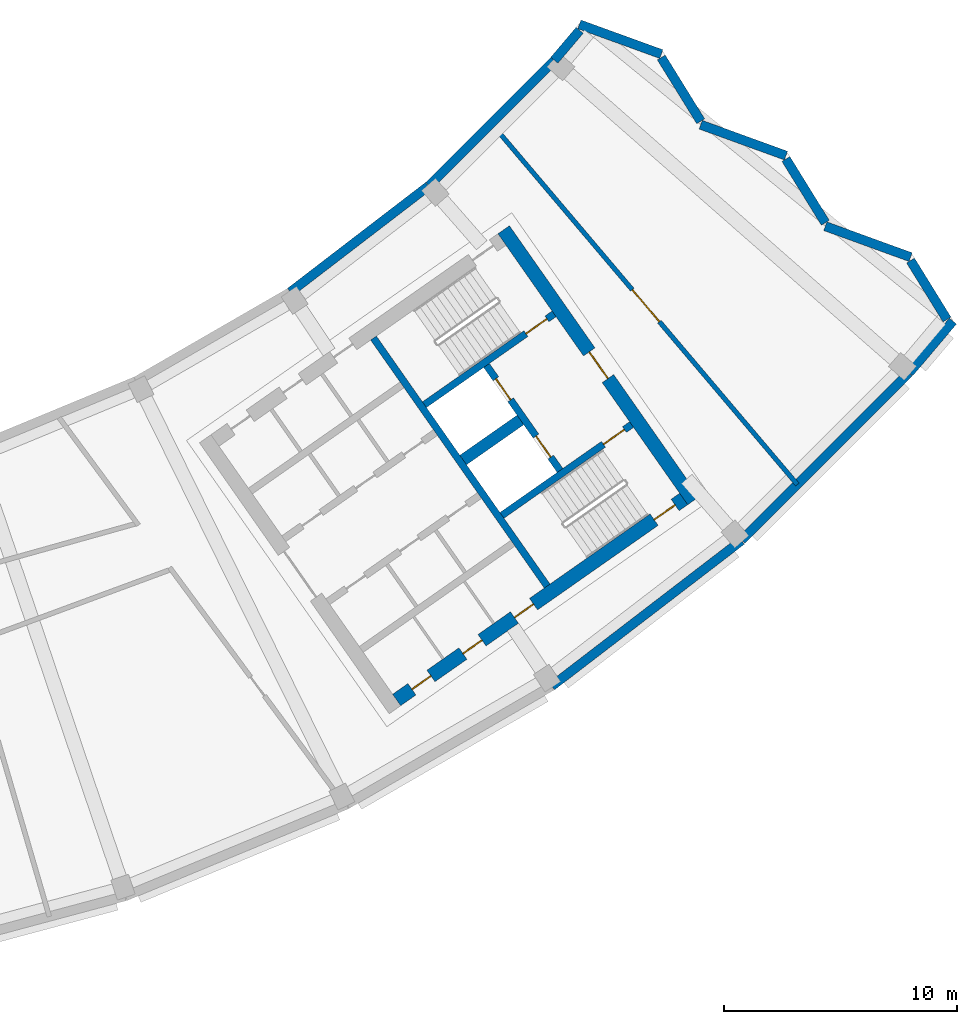
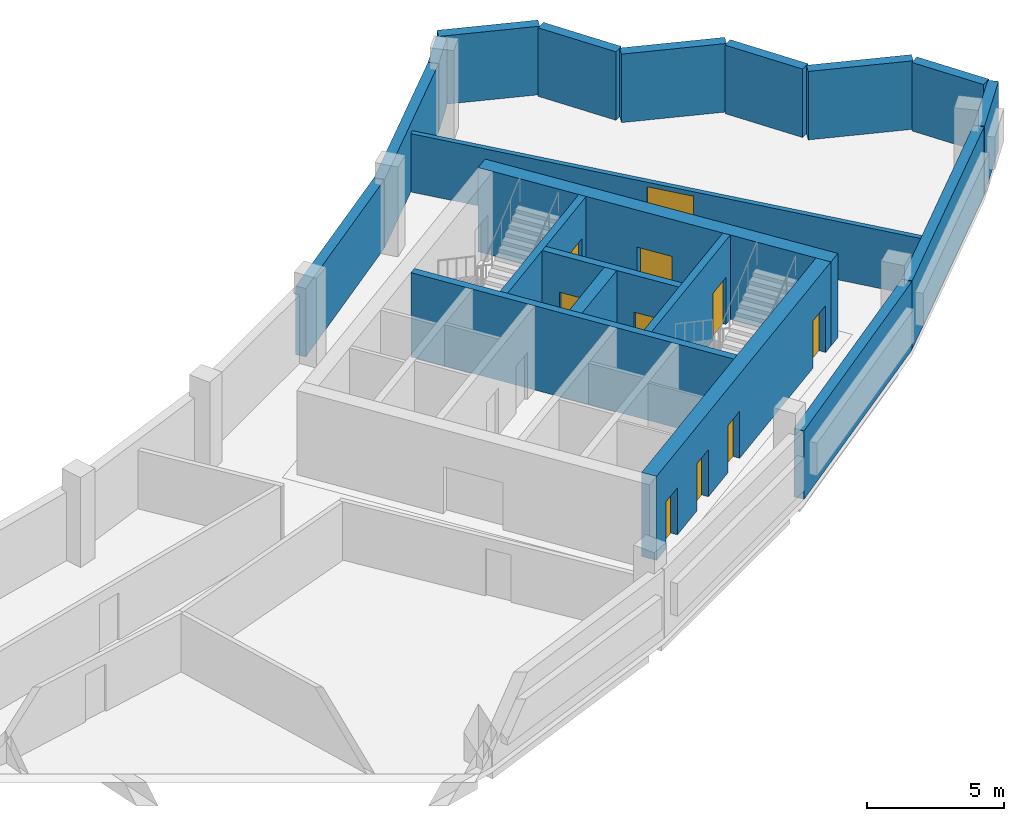
# One storey, part 6 of 11: 20 walls, 10 doors, 10 openings.
"""IFC4 building model written with IfcOpenShell, lengths in metres."""

import ifcopenshell
import ifcopenshell.guid

model = None  # the IFC model being written
_history = None  # IfcOwnerHistory: only IFC2X3 demands one
_inside = {}  # id of a spatial element -> (the spatial element, [elements in it])
_under = {}  # id of a project, library or spatial element -> (it, [spatial elements below it])
_declared = {}  # id of a project -> (the project, [libraries it declares])
_typed = {}  # id of a type object -> (the type object, [elements of that type])
_made_of = {}  # id of a material, layer set ... -> (it, [elements and type objects made of it])


def new_model(schema):
    """Start an empty IFC model of exactly this schema.

    Asked for "IFC4X3", IfcOpenShell would pick the latest addendum, in which some entities
    have other attributes; the version numbers below select the first issue.
    IFC2X3 requires an IfcOwnerHistory on every rooted entity: one is made here for all.
    """
    global model, _history
    if schema == "IFC4X3":
        model = ifcopenshell.file(schema_version=(4, 3, 0, 0))
    else:
        model = ifcopenshell.file(schema=schema)
    _inside.clear()
    _under.clear()
    _declared.clear()
    _typed.clear()
    _made_of.clear()
    _history = None
    if model.schema == "IFC2X3":
        org = make("IfcOrganization", Name="unknown")
        user = make(
            "IfcPersonAndOrganization",
            ThePerson=make("IfcPerson", FamilyName="unknown"),
            TheOrganization=org,
        )
        app = make(
            "IfcApplication",
            ApplicationDeveloper=org,
            Version="unknown",
            ApplicationFullName="unknown",
            ApplicationIdentifier="unknown",
        )
        _history = make(
            "IfcOwnerHistory",
            OwningUser=user,
            OwningApplication=app,
            ChangeAction="ADDED",
            CreationDate=0,
        )
    return model


def make(cls, **values):
    """One entity of the class cls with the attributes given. An attribute that is None is left unset."""
    return model.create_entity(
        cls, **{name: value for name, value in values.items() if value is not None}
    )


def rooted(cls, **values):
    """An entity with a GlobalId (a new one), such as an element, a storey or a relation."""
    return make(cls, GlobalId=ifcopenshell.guid.new(), OwnerHistory=_history, **values)


def si_unit(unit_type, name, prefix=None):
    """IfcSIUnit, for example si_unit("LENGTHUNIT", "METRE", prefix="MILLI")."""
    return make("IfcSIUnit", UnitType=unit_type, Prefix=prefix, Name=name)


def assignment(units):
    """IfcUnitAssignment: the units of a project."""
    return None if units is None else make("IfcUnitAssignment", Units=units)


def point(xyz):
    """IfcCartesianPoint."""
    return None if xyz is None else make("IfcCartesianPoint", Coordinates=xyz)


def direction(xyz):
    """IfcDirection."""
    return None if xyz is None else make("IfcDirection", DirectionRatios=xyz)


def frame(location, z_axis=None, x_axis=None):
    """IfcAxis2Placement3D, a coordinate frame: its origin and axes. An axis left out is left unset."""
    return make(
        "IfcAxis2Placement3D",
        Location=point(location),
        Axis=direction(z_axis),
        RefDirection=direction(x_axis),
    )


def frame_2d(location, x_axis=None):
    """IfcAxis2Placement2D, a coordinate frame in the plane: its origin and x axis."""
    return make(
        "IfcAxis2Placement2D", Location=point(location), RefDirection=direction(x_axis)
    )


def origin():
    """The frame at (0, 0, 0) with its axes left unset."""
    return frame((0.0, 0.0, 0.0))


def place(relative_to, where):
    """IfcLocalPlacement: puts the frame where relative to a parent placement (None: the world)."""
    return make(
        "IfcLocalPlacement", PlacementRelTo=relative_to, RelativePlacement=where
    )


def context(
    kind, dimensions, precision=None, world=None, true_north=None, identifier=None
):
    """IfcGeometricRepresentationContext, for example the 3D "Model" context."""
    return make(
        "IfcGeometricRepresentationContext",
        ContextIdentifier=identifier,
        ContextType=kind,
        CoordinateSpaceDimension=dimensions,
        Precision=precision,
        WorldCoordinateSystem=world,
        TrueNorth=true_north,
    )


def subcontext(parent, identifier, kind, view, scale=None):
    """IfcGeometricRepresentationSubContext, for example "Body" below "Model"."""
    return make(
        "IfcGeometricRepresentationSubContext",
        ContextIdentifier=identifier,
        ContextType=kind,
        ParentContext=parent,
        TargetScale=scale,
        TargetView=view,
    )


def project(units=None, contexts=None):
    """IfcProject with its units and contexts."""
    return rooted(
        "IfcProject",
        Name="project",
        RepresentationContexts=contexts,
        UnitsInContext=assignment(units),
    )


def spatial(cls, under=None, at=None, **own):
    """A site, building, storey or space (cls), placed at a placement, below another one or the project."""
    s = rooted(cls, ObjectPlacement=at, **own)
    if under is not None:
        _under.setdefault(under.id(), (under, []))[1].append(s)
    return s


def profile(cls, at=None, kind="AREA", **sizes):
    """A parametric profile (cls). Its sizes go by their IFC names, for example OverallWidth=200.0."""
    return make(cls, ProfileType=kind, Position=at, **sizes)


def rectangle(**sizes):
    """IfcRectangleProfileDef."""
    return profile("IfcRectangleProfileDef", **sizes)


def extrude(swept, where, along, depth):
    """IfcExtrudedAreaSolid: the profile swept, set in the frame where, extruded along a direction by depth."""
    return make(
        "IfcExtrudedAreaSolid",
        SweptArea=swept,
        Position=where,
        ExtrudedDirection=direction(along),
        Depth=depth,
    )


def shape(context_of_items, identifier, shape_type, items):
    """IfcShapeRepresentation: the items that make up one representation, for example the "Body"."""
    return make(
        "IfcShapeRepresentation",
        ContextOfItems=context_of_items,
        RepresentationIdentifier=identifier,
        RepresentationType=shape_type,
        Items=items,
    )


def material(Name=None, Category=None):
    """IfcMaterial."""
    return make("IfcMaterial", Name=Name, Category=Category)


def layer(
    of_material, thickness, ventilated=None, Name=None, Category=None, Priority=None
):
    """IfcMaterialLayer: one layer of a wall or slab, of a material (None: an air gap)."""
    return make(
        "IfcMaterialLayer",
        Material=of_material,
        LayerThickness=thickness,
        IsVentilated=ventilated,
        Name=Name,
        Category=Category,
        Priority=Priority,
    )


def layer_set(layers, Name=None):
    """IfcMaterialLayerSet."""
    return make("IfcMaterialLayerSet", MaterialLayers=layers, LayerSetName=Name)


def made_of(thing, what):
    """Note that an element or type object is made of a material, layer set ...; save() writes the relation."""
    if what is not None:
        _made_of.setdefault(what.id(), (what, []))[1].append(thing)
    return thing


def type_object(cls, material=None, **own):
    """A type object (cls), such as IfcWallType, which elements share."""
    return made_of(rooted(cls, **own), material)


def element(
    cls,
    number,
    at=None,
    inside=None,
    cuts=None,
    type_object=None,
    material=None,
    context=None,
    identifier="Body",
    shape_type=None,
    held_by="IfcProductDefinitionShape",
    body=None,
    shapes=None,
    **own,
):
    """One element of the class cls, such as IfcWall. Its Tag is "e" and its number.

    at: its placement. inside: the storey or other place that contains it. cuts: it is an
    opening in that element (IfcRelVoidsElement). A single representation is given by context,
    identifier, shape_type and body (its items); several are given by shapes. held_by: the class
    of the entity that holds the representations. save() writes the other relations.
    """
    e = rooted(cls, Tag="e%d" % number, ObjectPlacement=at, **own)
    if body is not None:
        shapes = [shape(context, identifier, shape_type, body)]
    if shapes is not None:
        e.Representation = make(held_by, Representations=shapes)
    if inside is not None:
        _inside.setdefault(inside.id(), (inside, []))[1].append(e)
    if cuts is not None:
        rooted(
            "IfcRelVoidsElement", RelatingBuildingElement=cuts, RelatedOpeningElement=e
        )
    if type_object is not None:
        _typed.setdefault(type_object.id(), (type_object, []))[1].append(e)
    return made_of(e, material)


def fill(opening, filler):
    """IfcRelFillsElement: the door or window that sits in an opening."""
    return rooted(
        "IfcRelFillsElement",
        RelatingOpeningElement=opening,
        RelatedBuildingElement=filler,
    )


def aggregate(whole, parts):
    """IfcRelAggregates: a whole, such as a stair, and the parts it consists of."""
    return rooted("IfcRelAggregates", RelatingObject=whole, RelatedObjects=parts)


def save(model, path):
    """Write the relations noted so far, then the file.

    IfcRelAggregates (storeys below a building ...), IfcRelContainedInSpatialStructure (elements
    in a storey), IfcRelDefinesByType, IfcRelAssociatesMaterial and IfcRelDeclares: one each for
    every whole, place, type object, material and project.
    """
    for whole, parts in _under.values():
        aggregate(whole, parts)
    for where, things in _inside.values():
        rooted(
            "IfcRelContainedInSpatialStructure",
            RelatedElements=things,
            RelatingStructure=where,
        )
    for kind, things in _typed.values():
        rooted("IfcRelDefinesByType", RelatedObjects=things, RelatingType=kind)
    for what, things in _made_of.values():
        rooted("IfcRelAssociatesMaterial", RelatedObjects=things, RelatingMaterial=what)
    for by, libraries in _declared.values():
        rooted("IfcRelDeclares", RelatingContext=by, RelatedDefinitions=libraries)
    model.write(path)


model = new_model("IFC4")

# Units and contexts
model_context = context("Model", 3, precision=1e-05, world=origin(), true_north=direction((0.0, 1.0)))
body_context = subcontext(model_context, "Body", "Model", "MODEL_VIEW")
ifc_project = project(units=[si_unit("LENGTHUNIT", "METRE"), si_unit("AREAUNIT", "SQUARE_METRE"), si_unit("VOLUMEUNIT", "CUBIC_METRE"), si_unit("PLANEANGLEUNIT", "RADIAN"), si_unit("MASSUNIT", "GRAM", prefix="KILO")], contexts=[model_context])

# Site, building, storey
site_placement = place(None, origin())
site = spatial("IfcSite", under=ifc_project, at=site_placement, CompositionType="ELEMENT")
building_placement = place(site_placement, origin())
building = spatial("IfcBuilding", under=site, at=building_placement, Name="Qamariyya Broadcast Tower", CompositionType="ELEMENT")
storey_placement = place(building_placement, frame((0.0, 0.0, 302.699951171875)))
storey = spatial("IfcBuildingStorey", under=building, at=storey_placement, Name="L73", CompositionType="ELEMENT", Elevation=302.699951171875)

# Wall, opening, door
ifc_material_1 = material(Name="Concrete C60/75", Category="concrete")
ifc_layer_1 = layer(ifc_material_1, 0.60009765625)
ifc_layer_set_1 = layer_set([ifc_layer_1], Name="Core wall 600 mm Concrete C60/75")
wall_type_1 = type_object("IfcWallType", Name="Core wall 600 mm Concrete C60/75", PredefinedType="SHEAR", material=ifc_layer_set_1)
wall_1_placement = place(storey_placement, frame((49.4833984375, -57.031494140625, 0.0), z_axis=(0.0, 0.0, 1.0), x_axis=(-0.573560421458, 0.819163257805, 0.0)))
wall_1 = element("IfcWall", 1, at=wall_1_placement, inside=storey, type_object=wall_type_1, Name="k-E-L73-WH", PredefinedType="SHEAR", context=body_context, shape_type="SweptSolid", body=[
    extrude(rectangle(XDim=14.199951171875, YDim=0.60009765625, at=frame_2d((7.10009765625, 0.0))), origin(), (0.0, 0.0, 1.0), 3.75),
])
opening_1_placement = place(wall_1_placement, frame((6.39990234375, 0.0, 0.0)))
opening_1 = element("IfcOpeningElement", 2, at=opening_1_placement, cuts=wall_1, Name="Opening KD2-E1", PredefinedType="OPENING", context=body_context, shape_type="SweptSolid", body=[
    extrude(rectangle(XDim=1.39990234375, YDim=2.10009765625, at=frame_2d((0.699951171875, 1.050048828125))), frame((0.0, 0.31005859375, 0.0), z_axis=(0.0, -1.0, 0.0), x_axis=(1.0, 0.0, 0.0)), (0.0, 0.0, 1.0), 0.6201171875),
])
ifc_material_2 = material(Name="Steel fire-resisting door leaf", Category="steel")
door_type_1 = type_object("IfcDoorType", Name="Fire-fighting lobby door KD2", OperationType="DOUBLE_DOOR_SINGLE_SWING", PredefinedType="DOOR", material=ifc_material_2)
door_1_placement = place(opening_1_placement, origin())
door_1 = element("IfcDoor", 3, at=door_1_placement, inside=storey, type_object=door_type_1, Name="k-E-L73-WH-D16", OperationType="DOUBLE_DOOR_SINGLE_SWING", OverallHeight=2.10009765625, OverallWidth=1.39990234375, PredefinedType="DOOR", context=body_context, shape_type="SweptSolid", body=[
    extrude(rectangle(XDim=1.39990234375, YDim=2.10009765625, at=frame_2d((0.699951171875, 1.050048828125))), frame((0.0, 0.02490234375, 0.0), z_axis=(0.0, -1.0, 0.0), x_axis=(1.0, 0.0, 0.0)), (0.0, 0.0, 1.0), 0.050048828125),
])
fill(opening_1, door_1)

# Wall, openings, doors
wall_2_placement = place(storey_placement, frame((36.7412109375, -65.58740234375, 0.0), z_axis=(0.0, 0.0, 1.0), x_axis=(0.819153391756, 0.573574511963, 0.0)))
wall_2 = element("IfcWall", 4, at=wall_2_placement, inside=storey, type_object=wall_type_1, Name="k-E-L73-WO", PredefinedType="SHEAR", context=body_context, shape_type="SweptSolid", body=[
    extrude(rectangle(XDim=15.04541015625, YDim=0.60009765625, at=frame_2d((7.522705078125, 0.0))), origin(), (0.0, 0.0, 1.0), 3.75),
])
opening_2_placement = place(wall_2_placement, frame((0.800048828125, 0.0, 0.0)))
opening_2 = element("IfcOpeningElement", 5, at=opening_2_placement, cuts=wall_2, Name="Opening KD4-E10", PredefinedType="OPENING", context=body_context, shape_type="SweptSolid", body=[
    extrude(rectangle(XDim=1.0, YDim=2.10009765625, at=frame_2d((0.5, 1.050048828125))), frame((0.0, 0.31005859375, 0.0), z_axis=(0.0, -1.0, 0.0), x_axis=(1.0, 0.0, 0.0)), (0.0, 0.0, 1.0), 0.6201171875),
])
opening_3_placement = place(wall_2_placement, frame((3.47509765625, 0.0, 0.0)))
opening_3 = element("IfcOpeningElement", 6, at=opening_3_placement, cuts=wall_2, Name="Opening KD4-E11", PredefinedType="OPENING", context=body_context, shape_type="SweptSolid", body=[
    extrude(rectangle(XDim=1.0, YDim=2.10009765625, at=frame_2d((0.5, 1.050048828125))), frame((0.0, 0.31005859375, 0.0), z_axis=(0.0, -1.0, 0.0), x_axis=(1.0, 0.0, 0.0)), (0.0, 0.0, 1.0), 0.6201171875),
])
opening_4_placement = place(wall_2_placement, frame((6.175048828125, 0.0, 0.0)))
opening_4 = element("IfcOpeningElement", 7, at=opening_4_placement, cuts=wall_2, Name="Opening KD4-E12", PredefinedType="OPENING", context=body_context, shape_type="SweptSolid", body=[
    extrude(rectangle(XDim=1.0, YDim=2.10009765625, at=frame_2d((0.5, 1.050048828125))), frame((0.0, 0.31005859375, 0.0), z_axis=(0.0, -1.0, 0.0), x_axis=(1.0, 0.0, 0.0)), (0.0, 0.0, 1.0), 0.6201171875),
])
opening_5_placement = place(wall_2_placement, frame((13.495361328125, 0.0, 0.0)))
opening_5 = element("IfcOpeningElement", 8, at=opening_5_placement, cuts=wall_2, Name="Opening KD1-E3", PredefinedType="OPENING", context=body_context, shape_type="SweptSolid", body=[
    extrude(rectangle(XDim=1.10009765625, YDim=2.10009765625, at=frame_2d((0.550048828125, 1.050048828125))), frame((0.0, 0.31005859375, 0.0), z_axis=(0.0, -1.0, 0.0), x_axis=(1.0, 0.0, 0.0)), (0.0, 0.0, 1.0), 0.6201171875),
])
door_type_2 = type_object("IfcDoorType", Name="Riser and plant door KD4", OperationType="SINGLE_SWING_LEFT", PredefinedType="DOOR", material=ifc_material_2)
door_2_placement = place(opening_2_placement, origin())
door_2 = element("IfcDoor", 9, at=door_2_placement, inside=storey, type_object=door_type_2, Name="k-E-L73-WO-D11", OperationType="SINGLE_SWING_LEFT", OverallHeight=2.10009765625, OverallWidth=1.0, PredefinedType="DOOR", context=body_context, shape_type="SweptSolid", body=[
    extrude(rectangle(XDim=1.0, YDim=2.10009765625, at=frame_2d((0.5, 1.050048828125))), frame((0.0, 0.02490234375, 0.0), z_axis=(0.0, -1.0, 0.0), x_axis=(1.0, 0.0, 0.0)), (0.0, 0.0, 1.0), 0.050048828125),
])
fill(opening_2, door_2)
door_3_placement = place(opening_3_placement, origin())
door_3 = element("IfcDoor", 10, at=door_3_placement, inside=storey, type_object=door_type_2, Name="k-E-L73-WO-D12", OperationType="SINGLE_SWING_RIGHT", OverallHeight=2.10009765625, OverallWidth=1.0, PredefinedType="DOOR", context=body_context, shape_type="SweptSolid", body=[
    extrude(rectangle(XDim=1.0, YDim=2.10009765625, at=frame_2d((0.5, 1.050048828125))), frame((0.0, 0.02490234375, 0.0), z_axis=(0.0, -1.0, 0.0), x_axis=(1.0, 0.0, 0.0)), (0.0, 0.0, 1.0), 0.050048828125),
])
fill(opening_3, door_3)
door_4_placement = place(opening_4_placement, origin())
door_4 = element("IfcDoor", 11, at=door_4_placement, inside=storey, type_object=door_type_2, Name="k-E-L73-WO-D13", OperationType="SINGLE_SWING_LEFT", OverallHeight=2.10009765625, OverallWidth=1.0, PredefinedType="DOOR", context=body_context, shape_type="SweptSolid", body=[
    extrude(rectangle(XDim=1.0, YDim=2.10009765625, at=frame_2d((0.5, 1.050048828125))), frame((0.0, 0.02490234375, 0.0), z_axis=(0.0, -1.0, 0.0), x_axis=(1.0, 0.0, 0.0)), (0.0, 0.0, 1.0), 0.050048828125),
])
fill(opening_4, door_4)
door_type_3 = type_object("IfcDoorType", Name="Stair door KD1", OperationType="SINGLE_SWING_LEFT", PredefinedType="DOOR", material=ifc_material_2)
door_5_placement = place(opening_5_placement, origin())
door_5 = element("IfcDoor", 12, at=door_5_placement, inside=storey, type_object=door_type_3, Name="k-E-L73-WO-D19", OperationType="SINGLE_SWING_LEFT", OverallHeight=2.10009765625, OverallWidth=1.10009765625, PredefinedType="DOOR", context=body_context, shape_type="SweptSolid", body=[
    extrude(rectangle(XDim=1.10009765625, YDim=2.10009765625, at=frame_2d((0.550048828125, 1.050048828125))), frame((0.0, 0.02490234375, 0.0), z_axis=(0.0, -1.0, 0.0), x_axis=(1.0, 0.0, 0.0)), (0.0, 0.0, 1.0), 0.050048828125),
])
fill(opening_5, door_5)

# Walls
ifc_layer_2 = layer(ifc_material_1, 0.5)
ifc_layer_set_2 = layer_set([ifc_layer_2], Name="Fire-fighting lobby divider wall 500 mm Concrete C60/75")
wall_type_2 = type_object("IfcWallType", Name="Fire-fighting lobby divider wall 500 mm Concrete C60/75", PredefinedType="SOLIDWALL", material=ifc_layer_set_2)
wall_3_placement = place(storey_placement, frame((39.59912109375, -55.28515625, 0.0), z_axis=(0.0, 0.0, 1.0), x_axis=(0.819136323161, 0.573598887793, 0.0)))
element("IfcWall", 13, at=wall_3_placement, inside=storey, type_object=wall_type_2, Name="k-E-L73-FD", PredefinedType="SOLIDWALL", context=body_context, shape_type="SweptSolid", body=[
    extrude(rectangle(XDim=2.999755859375, YDim=0.5, at=frame_2d((1.5, 0.0))), origin(), (0.0, 0.0, 1.0), 3.75),
])
ifc_layer_3 = layer(ifc_material_1, 0.300048828125)
ifc_layer_set_3 = layer_set([ifc_layer_3], Name="Lift shaft wall 300 mm Concrete C60/75")
wall_type_3 = type_object("IfcWallType", Name="Lift shaft wall 300 mm Concrete C60/75", PredefinedType="SOLIDWALL", material=ifc_layer_set_3)
wall_4_placement = place(storey_placement, frame((43.204345703125, -60.69580078125, 0.0), z_axis=(0.0, 0.0, 1.0), x_axis=(-0.573571992966, 0.819155155563, 0.0)))
element("IfcWall", 14, at=wall_4_placement, inside=storey, type_object=wall_type_3, Name="k-E-L73-WL", PredefinedType="SOLIDWALL", context=body_context, shape_type="SweptSolid", body=[
    extrude(rectangle(XDim=13.000244140625, YDim=0.300048828125, at=frame_2d((6.5, 0.0))), origin(), (0.0, 0.0, 1.0), 3.75),
])

# Wall, opening, door
wall_5_placement = place(storey_placement, frame((37.935546875, -52.90966796875, 0.0), z_axis=(0.0, 0.0, 1.0), x_axis=(0.819147518138, 0.57358290031, 0.0)))
wall_5 = element("IfcWall", 15, at=wall_5_placement, inside=storey, type_object=wall_type_3, Name="k-E-L73-NW", PredefinedType="SOLIDWALL", context=body_context, shape_type="SweptSolid", body=[
    extrude(rectangle(XDim=6.79541015625, YDim=0.300048828125, at=frame_2d((3.397705078125, 0.0))), origin(), (0.0, 0.0, 1.0), 3.75),
])
opening_6_placement = place(wall_5_placement, frame((5.3203125, 0.0, 0.0)))
opening_6 = element("IfcOpeningElement", 16, at=opening_6_placement, cuts=wall_5, Name="Opening KD1-E2", PredefinedType="OPENING", context=body_context, shape_type="SweptSolid", body=[
    extrude(rectangle(XDim=1.10009765625, YDim=2.10009765625, at=frame_2d((0.550048828125, 1.050048828125))), frame((0.0, 0.159912109375, 0.0), z_axis=(0.0, -1.0, 0.0), x_axis=(1.0, 0.0, 0.0)), (0.0, 0.0, 1.0), 0.320068359375),
])
door_6_placement = place(opening_6_placement, origin())
door_6 = element("IfcDoor", 17, at=door_6_placement, inside=storey, type_object=door_type_3, Name="k-E-L73-NW-D18", OperationType="SINGLE_SWING_RIGHT", OverallHeight=2.10009765625, OverallWidth=1.10009765625, PredefinedType="DOOR", context=body_context, shape_type="SweptSolid", body=[
    extrude(rectangle(XDim=1.10009765625, YDim=2.10009765625, at=frame_2d((0.550048828125, 1.050048828125))), frame((0.0, 0.02490234375, 0.0), z_axis=(0.0, -1.0, 0.0), x_axis=(1.0, 0.0, 0.0)), (0.0, 0.0, 1.0), 0.050048828125),
])
fill(opening_6, door_6)

wall_6_placement = place(storey_placement, frame((41.262451171875, -57.66064453125, 0.0), z_axis=(0.0, 0.0, 1.0), x_axis=(0.819164398642, 0.573558792102, 0.0)))
wall_6 = element("IfcWall", 18, at=wall_6_placement, inside=storey, type_object=wall_type_3, Name="k-E-L73-SW", PredefinedType="SOLIDWALL", context=body_context, shape_type="SweptSolid", body=[
    extrude(rectangle(XDim=6.795166015625, YDim=0.300048828125, at=frame_2d((3.3974609375, 0.0))), origin(), (0.0, 0.0, 1.0), 3.75),
])
opening_7_placement = place(wall_6_placement, frame((5.3203125, 0.0, 0.0)))
opening_7 = element("IfcOpeningElement", 19, at=opening_7_placement, cuts=wall_6, Name="Opening KD1-E4", PredefinedType="OPENING", context=body_context, shape_type="SweptSolid", body=[
    extrude(rectangle(XDim=1.10009765625, YDim=2.10009765625, at=frame_2d((0.550048828125, 1.050048828125))), frame((0.0, 0.159912109375, 0.0), z_axis=(0.0, -1.0, 0.0), x_axis=(1.0, 0.0, 0.0)), (0.0, 0.0, 1.0), 0.320068359375),
])
door_7_placement = place(opening_7_placement, origin())
door_7 = element("IfcDoor", 20, at=door_7_placement, inside=storey, type_object=door_type_3, Name="k-E-L73-SW-D20", OperationType="SINGLE_SWING_RIGHT", OverallHeight=2.10009765625, OverallWidth=1.10009765625, PredefinedType="DOOR", context=body_context, shape_type="SweptSolid", body=[
    extrude(rectangle(XDim=1.10009765625, YDim=2.10009765625, at=frame_2d((0.550048828125, 1.050048828125))), frame((0.0, 0.02490234375, 0.0), z_axis=(0.0, -1.0, 0.0), x_axis=(1.0, 0.0, 0.0)), (0.0, 0.0, 1.0), 0.050048828125),
])
fill(opening_7, door_7)

# Wall, openings, doors
wall_7_placement = place(storey_placement, frame((43.756591796875, -55.731201171875, 0.0), z_axis=(0.0, 0.0, 1.0), x_axis=(-0.573536818435, 0.819179783625, 0.0)))
wall_7 = element("IfcWall", 21, at=wall_7_placement, inside=storey, type_object=wall_type_3, Name="k-E-L73-FF", PredefinedType="SOLIDWALL", context=body_context, shape_type="SweptSolid", body=[
    extrude(rectangle(XDim=5.500244140625, YDim=0.300048828125, at=frame_2d((2.75, 0.0))), origin(), (0.0, 0.0, 1.0), 3.75),
])
opening_8_placement = place(wall_7_placement, frame((0.699951171875, 0.0, 0.0)))
opening_8 = element("IfcOpeningElement", 22, at=opening_8_placement, cuts=wall_7, Name="Opening LD", PredefinedType="OPENING", context=body_context, shape_type="SweptSolid", body=[
    extrude(rectangle(XDim=1.10009765625, YDim=2.10009765625, at=frame_2d((0.550048828125, 1.050048828125))), frame((0.0, 0.159912109375, 0.0), z_axis=(0.0, -1.0, 0.0), x_axis=(1.0, 0.0, 0.0)), (0.0, 0.0, 1.0), 0.320068359375),
])
opening_9_placement = place(wall_7_placement, frame((3.699951171875, 0.0, 0.0)))
opening_9 = element("IfcOpeningElement", 23, at=opening_9_placement, cuts=wall_7, Name="Opening LD", PredefinedType="OPENING", context=body_context, shape_type="SweptSolid", body=[
    extrude(rectangle(XDim=1.10009765625, YDim=2.10009765625, at=frame_2d((0.550048828125, 1.050048828125))), frame((0.0, 0.159912109375, 0.0), z_axis=(0.0, -1.0, 0.0), x_axis=(1.0, 0.0, 0.0)), (0.0, 0.0, 1.0), 0.320068359375),
])
door_type_4 = type_object("IfcDoorType", Name="Lift landing door LD", OperationType="DOUBLE_DOOR_SLIDING", PredefinedType="DOOR", material=ifc_material_2)
door_8_placement = place(opening_8_placement, origin())
door_8 = element("IfcDoor", 24, at=door_8_placement, inside=storey, type_object=door_type_4, Name="k-E-L73-FF-D14", OperationType="DOUBLE_DOOR_SLIDING", OverallHeight=2.10009765625, OverallWidth=1.10009765625, PredefinedType="DOOR", context=body_context, shape_type="SweptSolid", body=[
    extrude(rectangle(XDim=1.10009765625, YDim=2.10009765625, at=frame_2d((0.550048828125, 1.050048828125))), frame((0.0, 0.02490234375, 0.0), z_axis=(0.0, -1.0, 0.0), x_axis=(1.0, 0.0, 0.0)), (0.0, 0.0, 1.0), 0.050048828125),
])
fill(opening_8, door_8)
door_9_placement = place(opening_9_placement, origin())
door_9 = element("IfcDoor", 25, at=door_9_placement, inside=storey, type_object=door_type_4, Name="k-E-L73-FF-D15", OperationType="DOUBLE_DOOR_SLIDING", OverallHeight=2.10009765625, OverallWidth=1.10009765625, PredefinedType="DOOR", context=body_context, shape_type="SweptSolid", body=[
    extrude(rectangle(XDim=1.10009765625, YDim=2.10009765625, at=frame_2d((0.550048828125, 1.050048828125))), frame((0.0, 0.02490234375, 0.0), z_axis=(0.0, -1.0, 0.0), x_axis=(1.0, 0.0, 0.0)), (0.0, 0.0, 1.0), 0.050048828125),
])
fill(opening_9, door_9)

# Wall, opening, door
ifc_material_3 = material(Name="Masonry block wall", Category="masonry")
ifc_layer_4 = layer(ifc_material_3, 0.199951171875)
ifc_layer_set_4 = layer_set([ifc_layer_4], Name="Plant room wall 200 EI 120")
wall_type_4 = type_object("IfcWallType", Name="Plant room wall 200 EI 120", PredefinedType="PARTITIONING", material=ifc_layer_set_4)
wall_8_placement = place(storey_placement, frame((40.93603515625, -40.982666015625, 0.0), z_axis=(0.0, 0.0, 1.0), x_axis=(0.646426079671, -0.76297662056, 0.0)))
wall_8 = element("IfcWall", 26, at=wall_8_placement, inside=storey, type_object=wall_type_4, Name="Partition L73-022", PredefinedType="PARTITIONING", context=body_context, shape_type="SweptSolid", body=[
    extrude(rectangle(XDim=20.1259765625, YDim=0.199951171875, at=frame_2d((10.06298828125, 0.0))), origin(), (0.0, 0.0, 1.0), 2.60009765625),
])
opening_10_placement = place(wall_8_placement, frame((9.1630859375, 0.0, 0.0)))
opening_10 = element("IfcOpeningElement", 27, at=opening_10_placement, cuts=wall_8, Name="Opening L73-D11", PredefinedType="OPENING", context=body_context, shape_type="SweptSolid", body=[
    extrude(rectangle(XDim=1.800048828125, YDim=2.39990234375, at=frame_2d((0.89990234375, 1.199951171875))), frame((0.0, 0.10986328125, 0.0), z_axis=(0.0, -1.0, 0.0), x_axis=(1.0, 0.0, 0.0)), (0.0, 0.0, 1.0), 0.219970703125),
])
ifc_material_4 = material(Name="Insulated metal door leaf")
door_type_5 = type_object("IfcDoorType", Name="Plant double door 1800 x 2400 FD120", OperationType="NOTDEFINED", PredefinedType="DOOR", material=ifc_material_4)
door_10_placement = place(opening_10_placement, origin())
door_10 = element("IfcDoor", 28, at=door_10_placement, inside=storey, type_object=door_type_5, Name="Door L73-D11", OperationType="DOUBLE_DOOR_SINGLE_SWING", OverallHeight=2.39990234375, OverallWidth=1.800048828125, PredefinedType="DOOR", context=body_context, shape_type="SweptSolid", body=[
    extrude(rectangle(XDim=1.800048828125, YDim=2.39990234375, at=frame_2d((0.89990234375, 1.199951171875))), frame((0.0, 0.02490234375, 0.0), z_axis=(0.0, -1.0, 0.0), x_axis=(1.0, 0.0, 0.0)), (0.0, 0.0, 1.0), 0.050048828125),
])
fill(opening_10, door_10)

# Walls
ifc_material_5 = material(Name="Terracotta", Category="masonry")
ifc_layer_5 = layer(ifc_material_5, 0.39990234375)
ifc_layer_set_5 = layer_set([ifc_layer_5], Name="Solid terracotta louvred band wall 400")
wall_type_5 = type_object("IfcWallType", Name="Solid terracotta louvred band wall 400", PredefinedType="SOLIDWALL", material=ifc_layer_set_5)
wall_9_placement = place(storey_placement, frame((60.36962890625, -49.252685546875, 0.0), z_axis=(0.0, 0.0, 1.0), x_axis=(-0.525538284274, 0.850769952315, 0.0)))
element("IfcWall", 29, at=wall_9_placement, inside=storey, type_object=wall_type_5, Name="e-wl-L73-capE0", PredefinedType="SOLIDWALL", context=body_context, shape_type="SweptSolid", body=[
    extrude(rectangle(XDim=2.976318359375, YDim=0.39990234375, at=frame_2d((1.48828125, 0.0))), origin(), (0.0, 0.0, 1.0), 3.050048828125),
])
wall_10_placement = place(storey_placement, frame((58.806396484375, -46.57421875, 0.0), z_axis=(0.0, 0.0, 1.0), x_axis=(-0.940075029039, 0.340967652099, 0.0)))
element("IfcWall", 30, at=wall_10_placement, inside=storey, type_object=wall_type_5, Name="e-wl-L73-capE1", PredefinedType="SOLIDWALL", context=body_context, shape_type="SweptSolid", body=[
    extrude(rectangle(XDim=3.893798828125, YDim=0.39990234375, at=frame_2d((1.94677734375, 0.0))), origin(), (0.0, 0.0, 1.0), 3.050048828125),
])
wall_11_placement = place(storey_placement, frame((55.14697265625, -45.1005859375, 0.0), z_axis=(0.0, 0.0, 1.0), x_axis=(-0.525649491409, 0.850701247314, 0.0)))
element("IfcWall", 31, at=wall_11_placement, inside=storey, type_object=wall_type_5, Name="e-wl-L73-capE2", PredefinedType="SOLIDWALL", context=body_context, shape_type="SweptSolid", body=[
    extrude(rectangle(XDim=3.21923828125, YDim=0.39990234375, at=frame_2d((1.609619140625, 0.0))), origin(), (0.0, 0.0, 1.0), 3.050048828125),
])
wall_12_placement = place(storey_placement, frame((53.455810546875, -42.216064453125, 0.0), z_axis=(0.0, 0.0, 1.0), x_axis=(-0.940086069154, 0.340937212083, 0.0)))
element("IfcWall", 32, at=wall_12_placement, inside=storey, type_object=wall_type_5, Name="e-wl-L73-capE3", PredefinedType="SOLIDWALL", context=body_context, shape_type="SweptSolid", body=[
    extrude(rectangle(XDim=3.892578125, YDim=0.39990234375, at=frame_2d((1.9462890625, 0.0))), origin(), (0.0, 0.0, 1.0), 3.050048828125),
])
wall_13_placement = place(storey_placement, frame((49.797119140625, -40.742919921875, 0.0), z_axis=(0.0, 0.0, 1.0), x_axis=(-0.525678481137, 0.850683333838, 0.0)))
element("IfcWall", 33, at=wall_13_placement, inside=storey, type_object=wall_type_5, Name="e-wl-L73-capE4", PredefinedType="SOLIDWALL", context=body_context, shape_type="SweptSolid", body=[
    extrude(rectangle(XDim=3.220458984375, YDim=0.39990234375, at=frame_2d((1.6103515625, 0.0))), origin(), (0.0, 0.0, 1.0), 3.050048828125),
])
wall_14_placement = place(storey_placement, frame((48.105224609375, -37.857421875, 0.0), z_axis=(0.0, 0.0, 1.0), x_axis=(-0.940130056589, 0.340815898541, 0.0)))
element("IfcWall", 34, at=wall_14_placement, inside=storey, type_object=wall_type_5, Name="e-wl-L73-capE5", PredefinedType="SOLIDWALL", context=body_context, shape_type="SweptSolid", body=[
    extrude(rectangle(XDim=3.742919921875, YDim=0.39990234375, at=frame_2d((1.87158203125, 0.0))), origin(), (0.0, 0.0, 1.0), 3.050048828125),
])
wall_15_placement = place(storey_placement, frame((38.103271484375, -43.525146484375, 0.0), z_axis=(0.0, 0.0, 1.0), x_axis=(-0.793355236357, -0.608758957999, 0.0)))
element("IfcWall", 35, at=wall_15_placement, inside=storey, type_object=wall_type_5, Name="e-wl-L73-in120", PredefinedType="SOLIDWALL", context=body_context, shape_type="SweptSolid", body=[
    extrude(rectangle(XDim=7.4658203125, YDim=0.39990234375, at=frame_2d((3.73291015625, 0.0))), origin(), (0.0, 0.0, 1.0), 3.050048828125),
])
wall_16_placement = place(storey_placement, frame((43.50146484375, -38.13623046875, 0.0), z_axis=(0.0, 0.0, 1.0), x_axis=(-0.707106781187, -0.707106781187, 0.0)))
element("IfcWall", 36, at=wall_16_placement, inside=storey, type_object=wall_type_5, Name="e-wl-L73-in130", PredefinedType="SOLIDWALL", context=body_context, shape_type="SweptSolid", body=[
    extrude(rectangle(XDim=7.6025390625, YDim=0.39990234375, at=frame_2d((3.80126953125, 0.0))), origin(), (0.0, 0.0, 1.0), 3.050048828125),
])
wall_17_placement = place(storey_placement, frame((44.59814453125, -36.8369140625, 0.0), z_axis=(0.0, 0.0, 1.0), x_axis=(-0.645545650865, -0.763721685334, 0.0)))
element("IfcWall", 37, at=wall_17_placement, inside=storey, type_object=wall_type_5, Name="e-wl-L73-in140", PredefinedType="SOLIDWALL", context=body_context, shape_type="SweptSolid", body=[
    extrude(rectangle(XDim=1.68359375, YDim=0.39990234375, at=frame_2d((0.841796875, 0.0))), origin(), (0.0, 0.0, 1.0), 3.050048828125),
])
wall_18_placement = place(storey_placement, frame((43.397705078125, -64.994140625, 0.0), z_axis=(0.0, 0.0, 1.0), x_axis=(0.793354972355, 0.608759302055, 0.0)))
element("IfcWall", 38, at=wall_18_placement, inside=storey, type_object=wall_type_5, Name="e-wl-L73-out120", PredefinedType="SOLIDWALL", context=body_context, shape_type="SweptSolid", body=[
    extrude(rectangle(XDim=10.2724609375, YDim=0.39990234375, at=frame_2d((5.13623046875, 0.0))), origin(), (0.0, 0.0, 1.0), 3.050048828125),
])
wall_19_placement = place(storey_placement, frame((51.5634765625, -58.719970703125, 0.0), z_axis=(0.0, 0.0, 1.0), x_axis=(0.707118813872, 0.707094748296, 0.0)))
element("IfcWall", 39, at=wall_19_placement, inside=storey, type_object=wall_type_5, Name="e-wl-L73-out130", PredefinedType="SOLIDWALL", context=body_context, shape_type="SweptSolid", body=[
    extrude(rectangle(XDim=10.144775390625, YDim=0.39990234375, at=frame_2d((5.072265625, 0.0))), origin(), (0.0, 0.0, 1.0), 3.050048828125),
])
wall_20_placement = place(storey_placement, frame((58.74951171875, -51.53564453125, 0.0), z_axis=(0.0, 0.0, 1.0), x_axis=(0.6455801385, 0.763692532878, 0.0)))
element("IfcWall", 40, at=wall_20_placement, inside=storey, type_object=wall_type_5, Name="e-wl-L73-out140", PredefinedType="SOLIDWALL", context=body_context, shape_type="SweptSolid", body=[
    extrude(rectangle(XDim=2.902099609375, YDim=0.39990234375, at=frame_2d((1.451171875, 0.0))), origin(), (0.0, 0.0, 1.0), 3.050048828125),
])

save(model, "model.ifc")
